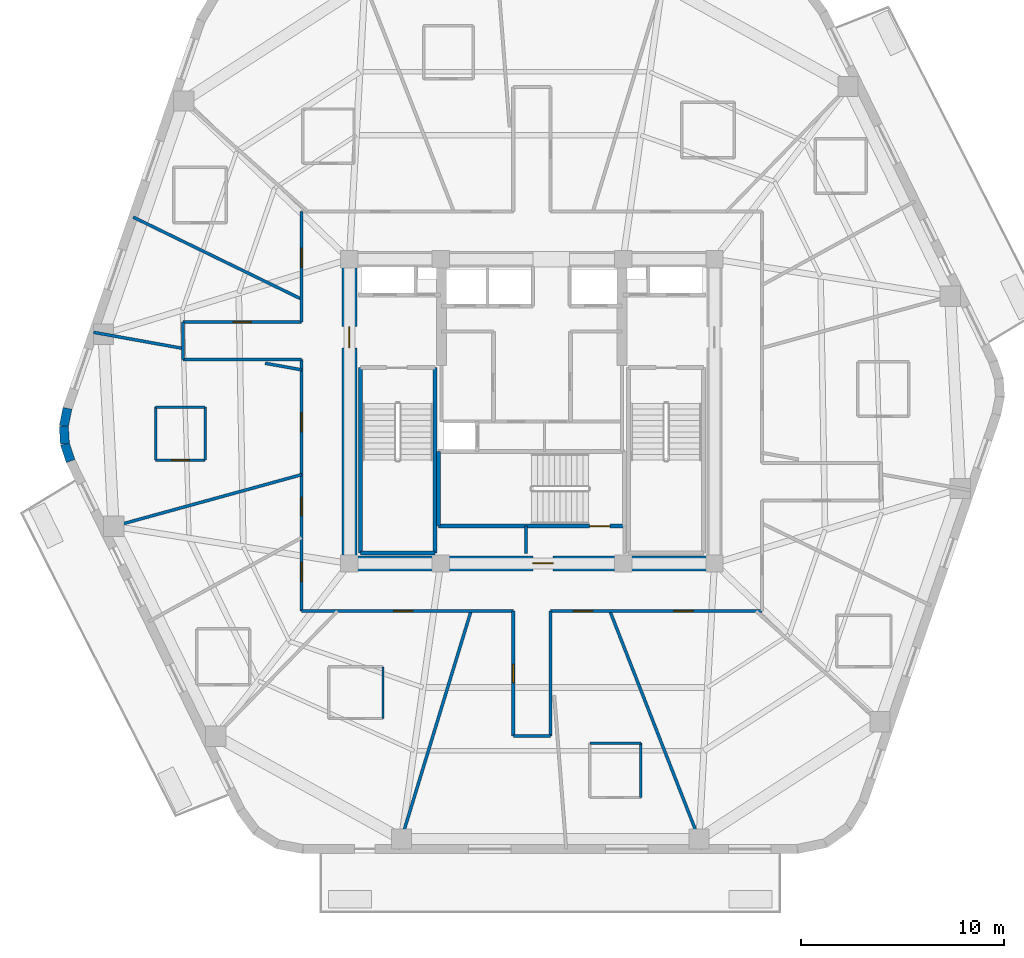
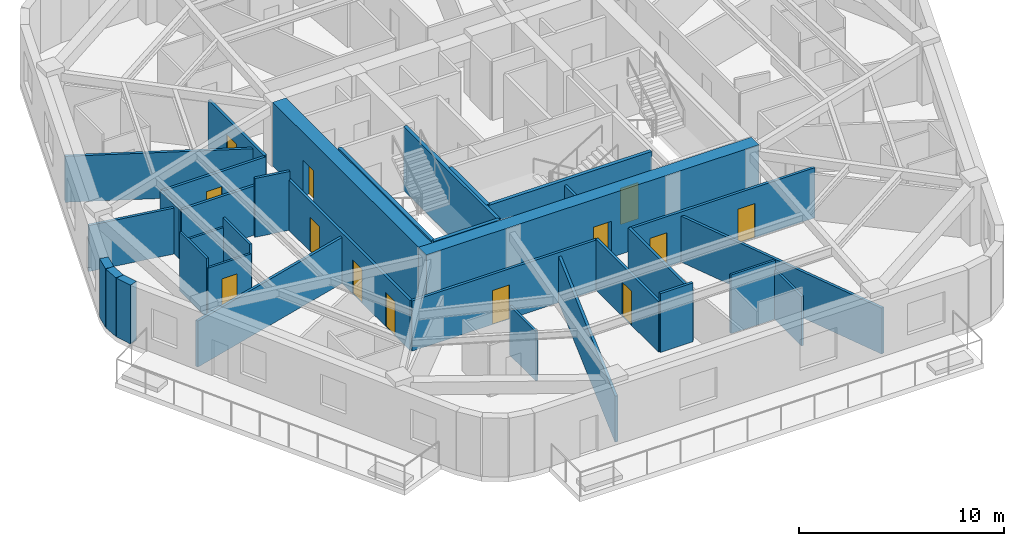
# One storey, part 3 of 10: 34 walls, 13 doors, 13 openings.
"""IFC4 building model written with IfcOpenShell, lengths in metres."""

from ifc_helpers import new_model, si_unit, direction, frame, frame_2d, origin, place, context, subcontext, project, spatial, rectangle, extrude, material, layer, layer_set, type_object, element, fill, save


model = new_model("IFC4")

# Units and contexts
model_context = context("Model", 3, precision=1e-05, world=origin(), true_north=direction((0.0, 1.0)))
body_context = subcontext(model_context, "Body", "Model", "MODEL_VIEW")
ifc_project = project(units=[si_unit("LENGTHUNIT", "METRE"), si_unit("AREAUNIT", "SQUARE_METRE"), si_unit("VOLUMEUNIT", "CUBIC_METRE"), si_unit("PLANEANGLEUNIT", "RADIAN"), si_unit("MASSUNIT", "GRAM", prefix="KILO")], contexts=[model_context])

# Site, building, storey
site_placement = place(None, origin())
site = spatial("IfcSite", under=ifc_project, at=site_placement, CompositionType="ELEMENT")
building_placement = place(site_placement, origin())
building = spatial("IfcBuilding", under=site, at=building_placement, Name="Kilnhurst Terrace Hotel", CompositionType="ELEMENT")
storey_placement = place(building_placement, frame((0.0, 0.0, 248.300048828125)))
storey = spatial("IfcBuildingStorey", under=building, at=storey_placement, Name="L62", CompositionType="ELEMENT", Elevation=248.300048828125)

# Walls
ifc_material_1 = material(Name="Precast concrete C40/50", Category="concrete")
ifc_layer_1 = layer(ifc_material_1, 0.449951171875, Name="Precast concrete C40/50")
ifc_layer_set_1 = layer_set([ifc_layer_1], Name="Precast concrete C40/50")
wall_type_1 = type_object("IfcWallType", Name="WL-BRK-450", PredefinedType="SOLIDWALL", material=ifc_layer_set_1)
wall_1_placement = place(storey_placement, frame((-22.8984375, 0.149658203125, 0.0), z_axis=(0.0, 0.0, 1.0), x_axis=(-0.199055826889, -0.979988151858, 0.0)))
element("IfcWall", 1, at=wall_1_placement, inside=storey, type_object=wall_type_1, Name="L62 Rounded Corner Brick Wall C6.1", PredefinedType="SOLIDWALL", context=body_context, shape_type="SweptSolid", body=[
    extrude(rectangle(XDim=0.89404296875, YDim=0.449951171875, at=frame_2d((0.447021484375, 0.0))), origin(), (0.0, 0.0, 1.0), 3.5),
])
wall_2_placement = place(storey_placement, frame((-23.076416015625, -0.7265625, 0.0), z_axis=(0.0, 0.0, 1.0), x_axis=(0.060805222108, -0.998149650586, 0.0)))
element("IfcWall", 2, at=wall_2_placement, inside=storey, type_object=wall_type_1, Name="L62 Rounded Corner Brick Wall C6.2", PredefinedType="SOLIDWALL", context=body_context, shape_type="SweptSolid", body=[
    extrude(rectangle(XDim=0.87939453125, YDim=0.449951171875, at=frame_2d((0.439697265625, 0.0))), origin(), (0.0, 0.0, 1.0), 3.5),
])
wall_3_placement = place(storey_placement, frame((-23.02294921875, -1.604248046875, 0.0), z_axis=(0.0, 0.0, 1.0), x_axis=(0.316801227695, -0.948491951537, 0.0)))
element("IfcWall", 3, at=wall_3_placement, inside=storey, type_object=wall_type_1, Name="L62 Rounded Corner Brick Wall C6.3", PredefinedType="SOLIDWALL", context=body_context, shape_type="SweptSolid", body=[
    extrude(rectangle(XDim=0.89404296875, YDim=0.449951171875, at=frame_2d((0.447021484375, 0.0))), origin(), (0.0, 0.0, 1.0), 3.5),
])

# Wall, openings, doors
ifc_material_2 = material(Name="Acoustic Double-Gypsum Corridor Partition Assembly")
ifc_layer_2 = layer(ifc_material_2, 0.14990234375, Name="Acoustic Double-Gypsum Corridor Partition Assembly")
ifc_layer_set_2 = layer_set([ifc_layer_2], Name="Acoustic Double-Gypsum Corridor Partition Assembly")
wall_type_2 = type_object("IfcWallType", Name="WL-COR-150", PredefinedType="PARTITIONING", material=ifc_layer_set_2)
wall_4_placement = place(storey_placement, frame((-11.35009765625, -9.85009765625, 0.0), z_axis=(0.0, 0.0, 1.0), x_axis=(0.0, 1.0, 0.0)))
wall_4 = element("IfcWall", 4, at=wall_4_placement, inside=storey, type_object=wall_type_2, Name="L62 Interior Wall WL-L62-COR-01", PredefinedType="PARTITIONING", context=body_context, shape_type="SweptSolid", body=[
    extrude(rectangle(XDim=12.400146484375, YDim=0.14990234375, at=frame_2d((6.2001953125, 0.0))), origin(), (0.0, 0.0, 1.0), 2.989990234375),
])
opening_1_placement = place(wall_4_placement, frame((8.8349609375, 0.0, 0.0)))
opening_1 = element("IfcOpeningElement", 5, at=opening_1_placement, cuts=wall_4, Name="Opening D-60B", PredefinedType="OPENING", context=body_context, shape_type="SweptSolid", body=[
    extrude(rectangle(XDim=0.949951171875, YDim=2.030029296875, at=frame_2d((0.47509765625, 1.01513671875))), frame((0.0, 0.0849609375, 0.0), z_axis=(0.0, -1.0, 0.0), x_axis=(1.0, 0.0, 0.0)), (0.0, 0.0, 1.0), 0.169921875),
])
opening_2_placement = place(wall_4_placement, frame((4.708984375, 0.0, 0.0)))
opening_2 = element("IfcOpeningElement", 6, at=opening_2_placement, cuts=wall_4, Name="Opening D-60C", PredefinedType="OPENING", context=body_context, shape_type="SweptSolid", body=[
    extrude(rectangle(XDim=0.89990234375, YDim=2.030029296875, at=frame_2d((0.449951171875, 1.01513671875))), frame((0.0, 0.0849609375, 0.0), z_axis=(0.0, -1.0, 0.0), x_axis=(1.0, 0.0, 0.0)), (0.0, 0.0, 1.0), 0.169921875),
])
opening_3_placement = place(wall_4_placement, frame((1.45703125, 0.0, 0.0)))
opening_3 = element("IfcOpeningElement", 7, at=opening_3_placement, cuts=wall_4, Name="Opening D-60B", PredefinedType="OPENING", context=body_context, shape_type="SweptSolid", body=[
    extrude(rectangle(XDim=0.949951171875, YDim=2.030029296875, at=frame_2d((0.47509765625, 1.01513671875))), frame((0.0, 0.0849609375, 0.0), z_axis=(0.0, -1.0, 0.0), x_axis=(1.0, 0.0, 0.0)), (0.0, 0.0, 1.0), 0.169921875),
])
ifc_material_3 = material(Name="Painted Solid-Core Service Fire Door")
door_type_1 = type_object("IfcDoorType", Name="DR-FD60-900", OperationType="NOTDEFINED", PredefinedType="DOOR", material=ifc_material_3)
door_1_placement = place(opening_2_placement, origin())
door_1 = element("IfcDoor", 8, at=door_1_placement, inside=storey, type_object=door_type_1, Name="L62 Private Meeting Salon Door 10", OperationType="SINGLE_SWING_RIGHT", OverallHeight=2.030029296875, OverallWidth=0.89990234375, PredefinedType="DOOR", context=body_context, shape_type="SweptSolid", body=[
    extrude(rectangle(XDim=0.89990234375, YDim=2.030029296875, at=frame_2d((0.449951171875, 1.01513671875))), frame((0.0, 0.02490234375, 0.0), z_axis=(0.0, -1.0, 0.0), x_axis=(1.0, 0.0, 0.0)), (0.0, 0.0, 1.0), 0.050048828125),
])
fill(opening_2, door_1)
ifc_material_4 = material(Name="Acoustic Walnut Veneer Solid-Core Fire Door")
door_type_2 = type_object("IfcDoorType", Name="DR-FD60-950", OperationType="NOTDEFINED", PredefinedType="DOOR", material=ifc_material_4)
door_2_placement = place(opening_1_placement, origin())
door_2 = element("IfcDoor", 9, at=door_2_placement, inside=storey, type_object=door_type_2, Name="L62 Executive Suite Entry Door 9", OperationType="SINGLE_SWING_LEFT", OverallHeight=2.030029296875, OverallWidth=0.949951171875, PredefinedType="DOOR", context=body_context, shape_type="SweptSolid", body=[
    extrude(rectangle(XDim=0.949951171875, YDim=2.030029296875, at=frame_2d((0.47509765625, 1.01513671875))), frame((0.0, 0.02490234375, 0.0), z_axis=(0.0, -1.0, 0.0), x_axis=(1.0, 0.0, 0.0)), (0.0, 0.0, 1.0), 0.050048828125),
])
fill(opening_1, door_2)
door_3_placement = place(opening_3_placement, origin())
door_3 = element("IfcDoor", 10, at=door_3_placement, inside=storey, type_object=door_type_2, Name="L62 Guest Room Entry Door 11", OperationType="SINGLE_SWING_LEFT", OverallHeight=2.030029296875, OverallWidth=0.949951171875, PredefinedType="DOOR", context=body_context, shape_type="SweptSolid", body=[
    extrude(rectangle(XDim=0.949951171875, YDim=2.030029296875, at=frame_2d((0.47509765625, 1.01513671875))), frame((0.0, 0.02490234375, 0.0), z_axis=(0.0, -1.0, 0.0), x_axis=(1.0, 0.0, 0.0)), (0.0, 0.0, 1.0), 0.050048828125),
])
fill(opening_3, door_3)

# Walls
wall_5_placement = place(storey_placement, frame((-11.35009765625, 2.550048828125, 0.0), z_axis=(0.0, 0.0, 1.0), x_axis=(-1.0, 0.0, 0.0)))
element("IfcWall", 11, at=wall_5_placement, inside=storey, type_object=wall_type_2, Name="L62 Interior Wall WL-L62-COR-02", PredefinedType="PARTITIONING", context=body_context, shape_type="SweptSolid", body=[
    extrude(rectangle(XDim=5.849853515625, YDim=0.14990234375, at=frame_2d((2.9248046875, 0.0))), origin(), (0.0, 0.0, 1.0), 2.9404296875),
])
wall_6_placement = place(storey_placement, frame((-17.199951171875, 2.550048828125, 0.0), z_axis=(0.0, 0.0, 1.0), x_axis=(0.0, 1.0, 0.0)))
element("IfcWall", 12, at=wall_6_placement, inside=storey, type_object=wall_type_2, Name="L62 Interior Wall WL-L62-COR-03", PredefinedType="PARTITIONING", context=body_context, shape_type="SweptSolid", body=[
    extrude(rectangle(XDim=1.849853515625, YDim=0.14990234375, at=frame_2d((0.9248046875, 0.0))), origin(), (0.0, 0.0, 1.0), 2.9404296875),
])

# Wall, opening, door
wall_7_placement = place(storey_placement, frame((-17.199951171875, 4.39990234375, 0.0), z_axis=(0.0, 0.0, 1.0), x_axis=(1.0, 0.0, 0.0)))
wall_7 = element("IfcWall", 13, at=wall_7_placement, inside=storey, type_object=wall_type_2, Name="L62 Interior Wall WL-L62-COR-04", PredefinedType="PARTITIONING", context=body_context, shape_type="SweptSolid", body=[
    extrude(rectangle(XDim=5.849853515625, YDim=0.14990234375, at=frame_2d((2.9248046875, 0.0))), origin(), (0.0, 0.0, 1.0), 2.9404296875),
])
opening_4_placement = place(wall_7_placement, frame((2.47509765625, 0.0, 0.0)))
opening_4 = element("IfcOpeningElement", 14, at=opening_4_placement, cuts=wall_7, Name="Opening D-60C", PredefinedType="OPENING", context=body_context, shape_type="SweptSolid", body=[
    extrude(rectangle(XDim=0.89990234375, YDim=2.030029296875, at=frame_2d((0.449951171875, 1.01513671875))), frame((0.0, 0.0849609375, 0.0), z_axis=(0.0, -1.0, 0.0), x_axis=(1.0, 0.0, 0.0)), (0.0, 0.0, 1.0), 0.169921875),
])
door_4_placement = place(opening_4_placement, origin())
door_4 = element("IfcDoor", 15, at=door_4_placement, inside=storey, type_object=door_type_1, Name="L62 Botanical Reading Lounge Door 8", OperationType="SINGLE_SWING_RIGHT", OverallHeight=2.030029296875, OverallWidth=0.89990234375, PredefinedType="DOOR", context=body_context, shape_type="SweptSolid", body=[
    extrude(rectangle(XDim=0.89990234375, YDim=2.030029296875, at=frame_2d((0.449951171875, 1.01513671875))), frame((0.0, 0.02490234375, 0.0), z_axis=(0.0, -1.0, 0.0), x_axis=(1.0, 0.0, 0.0)), (0.0, 0.0, 1.0), 0.050048828125),
])
fill(opening_4, door_4)

wall_8_placement = place(storey_placement, frame((-11.35009765625, 4.39990234375, 0.0), z_axis=(0.0, 0.0, 1.0), x_axis=(0.0, 1.0, 0.0)))
wall_8 = element("IfcWall", 16, at=wall_8_placement, inside=storey, type_object=wall_type_2, Name="L62 Interior Wall WL-L62-COR-05", PredefinedType="PARTITIONING", context=body_context, shape_type="SweptSolid", body=[
    extrude(rectangle(XDim=5.4501953125, YDim=0.14990234375, at=frame_2d((2.72509765625, 0.0))), origin(), (0.0, 0.0, 1.0), 2.989990234375),
])
opening_5_placement = place(wall_8_placement, frame((2.694091796875, 0.0, 0.0)))
opening_5 = element("IfcOpeningElement", 17, at=opening_5_placement, cuts=wall_8, Name="Opening D-60B", PredefinedType="OPENING", context=body_context, shape_type="SweptSolid", body=[
    extrude(rectangle(XDim=0.949951171875, YDim=2.030029296875, at=frame_2d((0.47509765625, 1.01513671875))), frame((0.0, 0.0849609375, 0.0), z_axis=(0.0, -1.0, 0.0), x_axis=(1.0, 0.0, 0.0)), (0.0, 0.0, 1.0), 0.169921875),
])
door_5_placement = place(opening_5_placement, origin())
door_5 = element("IfcDoor", 18, at=door_5_placement, inside=storey, type_object=door_type_2, Name="L62 Guest Room Entry Door 7", OperationType="SINGLE_SWING_LEFT", OverallHeight=2.030029296875, OverallWidth=0.949951171875, PredefinedType="DOOR", context=body_context, shape_type="SweptSolid", body=[
    extrude(rectangle(XDim=0.949951171875, YDim=2.030029296875, at=frame_2d((0.47509765625, 1.01513671875))), frame((0.0, 0.02490234375, 0.0), z_axis=(0.0, -1.0, 0.0), x_axis=(1.0, 0.0, 0.0)), (0.0, 0.0, 1.0), 0.050048828125),
])
fill(opening_5, door_5)

# Wall, openings, doors
wall_9_placement = place(storey_placement, frame((11.35009765625, -9.85009765625, 0.0), z_axis=(0.0, 0.0, 1.0), x_axis=(-1.0, 0.0, 0.0)))
wall_9 = element("IfcWall", 19, at=wall_9_placement, inside=storey, type_object=wall_type_2, Name="L62 Interior Wall WL-L62-COR-16", PredefinedType="PARTITIONING", context=body_context, shape_type="SweptSolid", body=[
    extrude(rectangle(XDim=10.43017578125, YDim=0.14990234375, at=frame_2d((5.215087890625, 0.0))), origin(), (0.0, 0.0, 1.0), 2.989990234375),
])
opening_6_placement = place(wall_9_placement, frame((8.362060546875, 0.0, 0.0)))
opening_6 = element("IfcOpeningElement", 20, at=opening_6_placement, cuts=wall_9, Name="Opening D-60B", PredefinedType="OPENING", context=body_context, shape_type="SweptSolid", body=[
    extrude(rectangle(XDim=0.949951171875, YDim=2.030029296875, at=frame_2d((0.47509765625, 1.01513671875))), frame((0.0, 0.0849609375, 0.0), z_axis=(0.0, -1.0, 0.0), x_axis=(1.0, 0.0, 0.0)), (0.0, 0.0, 1.0), 0.169921875),
])
opening_7_placement = place(wall_9_placement, frame((3.39599609375, 0.0, 0.0)))
opening_7 = element("IfcOpeningElement", 21, at=opening_7_placement, cuts=wall_9, Name="Opening D-60B", PredefinedType="OPENING", context=body_context, shape_type="SweptSolid", body=[
    extrude(rectangle(XDim=0.949951171875, YDim=2.030029296875, at=frame_2d((0.47509765625, 1.01513671875))), frame((0.0, 0.0849609375, 0.0), z_axis=(0.0, -1.0, 0.0), x_axis=(1.0, 0.0, 0.0)), (0.0, 0.0, 1.0), 0.169921875),
])
door_6_placement = place(opening_6_placement, origin())
door_6 = element("IfcDoor", 22, at=door_6_placement, inside=storey, type_object=door_type_2, Name="L62 Guest Room Entry Door 14", OperationType="SINGLE_SWING_RIGHT", OverallHeight=2.030029296875, OverallWidth=0.949951171875, PredefinedType="DOOR", context=body_context, shape_type="SweptSolid", body=[
    extrude(rectangle(XDim=0.949951171875, YDim=2.030029296875, at=frame_2d((0.47509765625, 1.01513671875))), frame((0.0, 0.02490234375, 0.0), z_axis=(0.0, -1.0, 0.0), x_axis=(1.0, 0.0, 0.0)), (0.0, 0.0, 1.0), 0.050048828125),
])
fill(opening_6, door_6)
door_7_placement = place(opening_7_placement, origin())
door_7 = element("IfcDoor", 23, at=door_7_placement, inside=storey, type_object=door_type_2, Name="L62 Private Dining Salon Door", OperationType="SINGLE_SWING_LEFT", OverallHeight=2.030029296875, OverallWidth=0.949951171875, PredefinedType="DOOR", context=body_context, shape_type="SweptSolid", body=[
    extrude(rectangle(XDim=0.949951171875, YDim=2.030029296875, at=frame_2d((0.47509765625, 1.01513671875))), frame((0.0, 0.02490234375, 0.0), z_axis=(0.0, -1.0, 0.0), x_axis=(1.0, 0.0, 0.0)), (0.0, 0.0, 1.0), 0.050048828125),
])
fill(opening_7, door_7)

# Walls
wall_10_placement = place(storey_placement, frame((0.919921875, -9.85009765625, 0.0), z_axis=(0.0, 0.0, 1.0), x_axis=(0.0, -1.0, 0.0)))
element("IfcWall", 24, at=wall_10_placement, inside=storey, type_object=wall_type_2, Name="L62 Interior Wall WL-L62-COR-17", PredefinedType="PARTITIONING", context=body_context, shape_type="SweptSolid", body=[
    extrude(rectangle(XDim=6.14990234375, YDim=0.14990234375, at=frame_2d((3.074951171875, 0.0))), origin(), (0.0, 0.0, 1.0), 3.0263671875),
])
wall_11_placement = place(storey_placement, frame((0.919921875, -16.0, 0.0), z_axis=(0.0, 0.0, 1.0), x_axis=(-1.0, 0.0, 0.0)))
element("IfcWall", 25, at=wall_11_placement, inside=storey, type_object=wall_type_2, Name="L62 Interior Wall WL-L62-COR-18", PredefinedType="PARTITIONING", context=body_context, shape_type="SweptSolid", body=[
    extrude(rectangle(XDim=1.83984375, YDim=0.14990234375, at=frame_2d((0.919921875, 0.0))), origin(), (0.0, 0.0, 1.0), 3.5),
])

# Wall, opening, door
wall_12_placement = place(storey_placement, frame((-0.919921875, -16.0, 0.0), z_axis=(0.0, 0.0, 1.0), x_axis=(0.0, 1.0, 0.0)))
wall_12 = element("IfcWall", 26, at=wall_12_placement, inside=storey, type_object=wall_type_2, Name="L62 Interior Wall WL-L62-COR-19", PredefinedType="PARTITIONING", context=body_context, shape_type="SweptSolid", body=[
    extrude(rectangle(XDim=6.14990234375, YDim=0.14990234375, at=frame_2d((3.074951171875, 0.0))), origin(), (0.0, 0.0, 1.0), 3.0263671875),
])
opening_8_placement = place(wall_12_placement, frame((2.625, 0.0, 0.0)))
opening_8 = element("IfcOpeningElement", 27, at=opening_8_placement, cuts=wall_12, Name="Opening D-60C", PredefinedType="OPENING", context=body_context, shape_type="SweptSolid", body=[
    extrude(rectangle(XDim=0.89990234375, YDim=2.030029296875, at=frame_2d((0.449951171875, 1.01513671875))), frame((0.0, 0.0849609375, 0.0), z_axis=(0.0, -1.0, 0.0), x_axis=(1.0, 0.0, 0.0)), (0.0, 0.0, 1.0), 0.169921875),
])
door_8_placement = place(opening_8_placement, origin())
door_8 = element("IfcDoor", 28, at=door_8_placement, inside=storey, type_object=door_type_1, Name="L62 Wellness Consultation Room Door 13", OperationType="SINGLE_SWING_LEFT", OverallHeight=2.030029296875, OverallWidth=0.89990234375, PredefinedType="DOOR", context=body_context, shape_type="SweptSolid", body=[
    extrude(rectangle(XDim=0.89990234375, YDim=2.030029296875, at=frame_2d((0.449951171875, 1.01513671875))), frame((0.0, 0.02490234375, 0.0), z_axis=(0.0, -1.0, 0.0), x_axis=(1.0, 0.0, 0.0)), (0.0, 0.0, 1.0), 0.050048828125),
])
fill(opening_8, door_8)

wall_13_placement = place(storey_placement, frame((-0.919921875, -9.85009765625, 0.0), z_axis=(0.0, 0.0, 1.0), x_axis=(-1.0, 0.0, 0.0)))
wall_13 = element("IfcWall", 29, at=wall_13_placement, inside=storey, type_object=wall_type_2, Name="L62 Interior Wall WL-L62-COR-20", PredefinedType="PARTITIONING", context=body_context, shape_type="SweptSolid", body=[
    extrude(rectangle(XDim=10.43017578125, YDim=0.14990234375, at=frame_2d((5.215087890625, 0.0))), origin(), (0.0, 0.0, 1.0), 2.989990234375),
])
opening_9_placement = place(wall_13_placement, frame((4.948974609375, 0.0, 0.0)))
opening_9 = element("IfcOpeningElement", 30, at=opening_9_placement, cuts=wall_13, Name="Opening D-60B", PredefinedType="OPENING", context=body_context, shape_type="SweptSolid", body=[
    extrude(rectangle(XDim=0.949951171875, YDim=2.030029296875, at=frame_2d((0.47509765625, 1.01513671875))), frame((0.0, 0.0849609375, 0.0), z_axis=(0.0, -1.0, 0.0), x_axis=(1.0, 0.0, 0.0)), (0.0, 0.0, 1.0), 0.169921875),
])
door_9_placement = place(opening_9_placement, origin())
door_9 = element("IfcDoor", 31, at=door_9_placement, inside=storey, type_object=door_type_2, Name="L62 Executive Suite Entry Door 12", OperationType="SINGLE_SWING_RIGHT", OverallHeight=2.030029296875, OverallWidth=0.949951171875, PredefinedType="DOOR", context=body_context, shape_type="SweptSolid", body=[
    extrude(rectangle(XDim=0.949951171875, YDim=2.030029296875, at=frame_2d((0.47509765625, 1.01513671875))), frame((0.0, 0.02490234375, 0.0), z_axis=(0.0, -1.0, 0.0), x_axis=(1.0, 0.0, 0.0)), (0.0, 0.0, 1.0), 0.050048828125),
])
fill(opening_9, door_9)

ifc_material_5 = material(Name="Concrete C60/75", Category="concrete")
ifc_layer_3 = layer(ifc_material_5, 0.75, Name="Concrete C60/75")
ifc_layer_set_3 = layer_set([ifc_layer_3], Name="Concrete C60/75")
wall_type_3 = type_object("IfcWallType", Name="WL-CORE-750", PredefinedType="SHEAR", material=ifc_layer_set_3)
wall_14_placement = place(storey_placement, frame((-9.375, -7.5, 0.0), z_axis=(0.0, 0.0, 1.0), x_axis=(1.0, 0.0, 0.0)))
wall_14 = element("IfcWall", 32, at=wall_14_placement, inside=storey, type_object=wall_type_3, Name="L62 Core South Shear Wall", PredefinedType="SHEAR", context=body_context, shape_type="SweptSolid", body=[
    extrude(rectangle(XDim=18.75, YDim=0.75, at=frame_2d((9.375, 0.0))), origin(), (0.0, 0.0, 1.0), 3.800048828125),
])
opening_10_placement = place(wall_14_placement, frame((9.425048828125, 0.0, 0.0)))
opening_10 = element("IfcOpeningElement", 33, at=opening_10_placement, cuts=wall_14, Name="Opening D-90B", PredefinedType="OPENING", context=body_context, shape_type="SweptSolid", body=[
    extrude(rectangle(XDim=1.0, YDim=2.14990234375, at=frame_2d((0.5, 1.074951171875))), frame((0.0, 0.385009765625, 0.0), z_axis=(0.0, -1.0, 0.0), x_axis=(1.0, 0.0, 0.0)), (0.0, 0.0, 1.0), 0.77001953125),
])
ifc_material_6 = material(Name="Painted Hollow Metal Steel ASTM A36 Fire Door", Category="steel")
door_type_3 = type_object("IfcDoorType", Name="DR-FD90-1000", OperationType="NOTDEFINED", PredefinedType="DOOR", material=ifc_material_6)
door_10_placement = place(opening_10_placement, origin())
door_10 = element("IfcDoor", 34, at=door_10_placement, inside=storey, type_object=door_type_3, Name="L62 Stair ST-3 Corridor Door", OperationType="SINGLE_SWING_RIGHT", OverallHeight=2.14990234375, OverallWidth=1.0, PredefinedType="DOOR", context=body_context, shape_type="SweptSolid", body=[
    extrude(rectangle(XDim=1.0, YDim=2.14990234375, at=frame_2d((0.5, 1.074951171875))), frame((0.0, 0.02490234375, 0.0), z_axis=(0.0, -1.0, 0.0), x_axis=(1.0, 0.0, 0.0)), (0.0, 0.0, 1.0), 0.050048828125),
])
fill(opening_10, door_10)

wall_15_placement = place(storey_placement, frame((-9.0, -7.125, 0.0), z_axis=(0.0, 0.0, 1.0), x_axis=(0.0, 1.0, 0.0)))
wall_15 = element("IfcWall", 35, at=wall_15_placement, inside=storey, type_object=wall_type_3, Name="L62 Core West Shear Wall", PredefinedType="SHEAR", context=body_context, shape_type="SweptSolid", body=[
    extrude(rectangle(XDim=14.25, YDim=0.75, at=frame_2d((7.125, 0.0))), origin(), (0.0, 0.0, 1.0), 3.800048828125),
])
opening_11_placement = place(wall_15_placement, frame((10.25, 0.0, 0.0)))
opening_11 = element("IfcOpeningElement", 36, at=opening_11_placement, cuts=wall_15, Name="Opening D-90A", PredefinedType="OPENING", context=body_context, shape_type="SweptSolid", body=[
    extrude(rectangle(XDim=1.050048828125, YDim=2.14990234375, at=frame_2d((0.52490234375, 1.074951171875))), frame((0.0, 0.385009765625, 0.0), z_axis=(0.0, -1.0, 0.0), x_axis=(1.0, 0.0, 0.0)), (0.0, 0.0, 1.0), 0.77001953125),
])
door_type_4 = type_object("IfcDoorType", Name="DR-FD90-1050", OperationType="NOTDEFINED", PredefinedType="DOOR", material=ifc_material_6)
door_11_placement = place(opening_11_placement, origin())
door_11 = element("IfcDoor", 37, at=door_11_placement, inside=storey, type_object=door_type_4, Name="L62 West Firefighting Lobby Door", OperationType="SINGLE_SWING_RIGHT", OverallHeight=2.14990234375, OverallWidth=1.050048828125, PredefinedType="DOOR", context=body_context, shape_type="SweptSolid", body=[
    extrude(rectangle(XDim=1.050048828125, YDim=2.14990234375, at=frame_2d((0.52490234375, 1.074951171875))), frame((0.0, 0.02490234375, 0.0), z_axis=(0.0, -1.0, 0.0), x_axis=(1.0, 0.0, 0.0)), (0.0, 0.0, 1.0), 0.050048828125),
])
fill(opening_11, door_11)

# Walls
ifc_material_7 = material(Name="STC-58 Acoustic Twin-Frame Guestroom Demising Partition")
ifc_layer_4 = layer(ifc_material_7, 0.14990234375, Name="STC-58 Acoustic Twin-Frame Guestroom Demising Partition")
ifc_layer_set_4 = layer_set([ifc_layer_4], Name="STC-58 Acoustic Twin-Frame Guestroom Demising Partition")
wall_type_4 = type_object("IfcWallType", Name="WL-DEM-150", PredefinedType="PARTITIONING", material=ifc_layer_set_4)
wall_16_placement = place(storey_placement, frame((-11.35009765625, 5.528076171875, 0.0), z_axis=(0.0, 0.0, 1.0), x_axis=(-0.899038669565, 0.437869239188, 0.0)))
element("IfcWall", 38, at=wall_16_placement, inside=storey, type_object=wall_type_4, Name="L62 Interior Wall WL-L62-DEM-MID05-08-1", PredefinedType="PARTITIONING", context=body_context, shape_type="SweptSolid", body=[
    extrude(rectangle(XDim=9.24169921875, YDim=0.14990234375, at=frame_2d((4.620849609375, 0.0))), origin(), (0.0, 0.0, 1.0), 2.739990234375),
])
wall_17_placement = place(storey_placement, frame((-11.35009765625, 2.046142578125, 0.0), z_axis=(0.0, 0.0, 1.0), x_axis=(-0.984127783205, 0.177461281195, 0.0)))
element("IfcWall", 39, at=wall_17_placement, inside=storey, type_object=wall_type_4, Name="L62 Interior Wall WL-L62-DEM-COL06-09-1", PredefinedType="PARTITIONING", context=body_context, shape_type="SweptSolid", body=[
    extrude(rectangle(XDim=1.82568359375, YDim=0.14990234375, at=frame_2d((0.912841796875, 0.0))), origin(), (0.0, 0.0, 1.0), 3.5),
])
wall_18_placement = place(storey_placement, frame((-17.199951171875, 3.1005859375, 0.0), z_axis=(0.0, 0.0, 1.0), x_axis=(-0.98413465883, 0.177423147559, 0.0)))
element("IfcWall", 40, at=wall_18_placement, inside=storey, type_object=wall_type_4, Name="L62 Interior Wall WL-L62-DEM-COL06-09-2", PredefinedType="PARTITIONING", context=body_context, shape_type="SweptSolid", body=[
    extrude(rectangle(XDim=4.481689453125, YDim=0.14990234375, at=frame_2d((2.24072265625, 0.0))), origin(), (0.0, 0.0, 1.0), 2.739990234375),
])
wall_19_placement = place(storey_placement, frame((-11.35009765625, -3.12060546875, 0.0), z_axis=(0.0, 0.0, 1.0), x_axis=(-0.964212793822, -0.265129568758, 0.0)))
element("IfcWall", 41, at=wall_19_placement, inside=storey, type_object=wall_type_4, Name="L62 Interior Wall WL-L62-DEM-COL07-10-1", PredefinedType="PARTITIONING", context=body_context, shape_type="SweptSolid", body=[
    extrude(rectangle(XDim=10.119873046875, YDim=0.14990234375, at=frame_2d((5.06005859375, 0.0))), origin(), (0.0, 0.0, 1.0), 2.739990234375),
])
wall_20_placement = place(storey_placement, frame((-3.00439453125, -9.85009765625, 0.0), z_axis=(0.0, 0.0, 1.0), x_axis=(-0.291775760688, -0.956486751333, 0.0)))
element("IfcWall", 42, at=wall_20_placement, inside=storey, type_object=wall_type_4, Name="L62 Interior Wall WL-L62-DEM-COL09-13-1", PredefinedType="PARTITIONING", context=body_context, shape_type="SweptSolid", body=[
    extrude(rectangle(XDim=12.25830078125, YDim=0.14990234375, at=frame_2d((6.129150390625, 0.0))), origin(), (0.0, 0.0, 1.0), 2.739990234375),
])
wall_21_placement = place(storey_placement, frame((3.848388671875, -9.85009765625, 0.0), z_axis=(0.0, 0.0, 1.0), x_axis=(0.363921778212, -0.931429513889, 0.0)))
element("IfcWall", 43, at=wall_21_placement, inside=storey, type_object=wall_type_4, Name="L62 Interior Wall WL-L62-DEM-COL10-15-1", PredefinedType="PARTITIONING", context=body_context, shape_type="SweptSolid", body=[
    extrude(rectangle(XDim=12.588134765625, YDim=0.14990234375, at=frame_2d((6.2939453125, 0.0))), origin(), (0.0, 0.0, 1.0), 2.739990234375),
])

# Wall, opening, door
ifc_material_8 = material(Name="120 mm Moisture-Resistant Tile-Backed Bathroom Partition")
ifc_layer_5 = layer(ifc_material_8, 0.1201171875, Name="120 mm Moisture-Resistant Tile-Backed Bathroom Partition")
ifc_layer_set_5 = layer_set([ifc_layer_5], Name="120 mm Moisture-Resistant Tile-Backed Bathroom Partition")
wall_type_5 = type_object("IfcWallType", Name="WL-PART-120", PredefinedType="PARTITIONING", material=ifc_layer_set_5)
wall_22_placement = place(storey_placement, frame((-18.5458984375, -2.406005859375, 0.0), z_axis=(0.0, 0.0, 1.0), x_axis=(1.0, 0.0, 0.0)))
wall_22 = element("IfcWall", 44, at=wall_22_placement, inside=storey, type_object=wall_type_5, Name="L62 Interior Wall WL-L62-BTH-09-1", PredefinedType="PARTITIONING", context=body_context, shape_type="SweptSolid", body=[
    extrude(rectangle(XDim=2.43994140625, YDim=0.1201171875, at=frame_2d((1.219970703125, 0.0))), origin(), (0.0, 0.0, 1.0), 2.9404296875),
])
opening_12_placement = place(wall_22_placement, frame((0.794921875, 0.0, 0.0)))
opening_12 = element("IfcOpeningElement", 45, at=opening_12_placement, cuts=wall_22, Name="Opening D-08A", PredefinedType="OPENING", context=body_context, shape_type="SweptSolid", body=[
    extrude(rectangle(XDim=0.85009765625, YDim=2.030029296875, at=frame_2d((0.425048828125, 1.01513671875))), frame((0.0, 0.070068359375, 0.0), z_axis=(0.0, -1.0, 0.0), x_axis=(1.0, 0.0, 0.0)), (0.0, 0.0, 1.0), 0.14013671875),
])
ifc_material_9 = material(Name="Moisture-Resistant Lacquered En-suite Bathroom Door")
door_type_5 = type_object("IfcDoorType", Name="DR-INT-850", OperationType="NOTDEFINED", PredefinedType="DOOR", material=ifc_material_9)
door_12_placement = place(opening_12_placement, origin())
door_12 = element("IfcDoor", 46, at=door_12_placement, inside=storey, type_object=door_type_5, Name="L62 En-suite Bathroom Door 9", OperationType="SINGLE_SWING_RIGHT", OverallHeight=2.030029296875, OverallWidth=0.85009765625, PredefinedType="DOOR", context=body_context, shape_type="SweptSolid", body=[
    extrude(rectangle(XDim=0.85009765625, YDim=2.030029296875, at=frame_2d((0.425048828125, 1.01513671875))), frame((0.0, 0.02490234375, 0.0), z_axis=(0.0, -1.0, 0.0), x_axis=(1.0, 0.0, 0.0)), (0.0, 0.0, 1.0), 0.050048828125),
])
fill(opening_12, door_12)

# Walls
wall_23_placement = place(storey_placement, frame((-16.10595703125, -2.406005859375, 0.0), z_axis=(0.0, 0.0, 1.0), x_axis=(0.0, 1.0, 0.0)))
element("IfcWall", 47, at=wall_23_placement, inside=storey, type_object=wall_type_5, Name="L62 Interior Wall WL-L62-BTH-09-2", PredefinedType="PARTITIONING", context=body_context, shape_type="SweptSolid", body=[
    extrude(rectangle(XDim=2.610107421875, YDim=0.1201171875, at=frame_2d((1.30517578125, 0.0))), origin(), (0.0, 0.0, 1.0), 3.5),
])
wall_24_placement = place(storey_placement, frame((-16.10595703125, 0.2041015625, 0.0), z_axis=(0.0, 0.0, 1.0), x_axis=(-1.0, 0.0, 0.0)))
element("IfcWall", 48, at=wall_24_placement, inside=storey, type_object=wall_type_5, Name="L62 Interior Wall WL-L62-BTH-09-3", PredefinedType="PARTITIONING", context=body_context, shape_type="SweptSolid", body=[
    extrude(rectangle(XDim=2.43994140625, YDim=0.1201171875, at=frame_2d((1.219970703125, 0.0))), origin(), (0.0, 0.0, 1.0), 2.9404296875),
])
wall_25_placement = place(storey_placement, frame((-18.5458984375, 0.2041015625, 0.0), z_axis=(0.0, 0.0, 1.0), x_axis=(0.0, -1.0, 0.0)))
element("IfcWall", 49, at=wall_25_placement, inside=storey, type_object=wall_type_5, Name="L62 Interior Wall WL-L62-BTH-09-4", PredefinedType="PARTITIONING", context=body_context, shape_type="SweptSolid", body=[
    extrude(rectangle(XDim=2.610107421875, YDim=0.1201171875, at=frame_2d((1.30517578125, 0.0))), origin(), (0.0, 0.0, 1.0), 3.5),
])
wall_26_placement = place(storey_placement, frame((-7.343017578125, -15.14208984375, 0.0), z_axis=(0.0, 0.0, 1.0), x_axis=(0.0, 1.0, 0.0)))
element("IfcWall", 50, at=wall_26_placement, inside=storey, type_object=wall_type_5, Name="L62 Interior Wall WL-L62-BTH-12-2", PredefinedType="PARTITIONING", context=body_context, shape_type="SweptSolid", body=[
    extrude(rectangle(XDim=2.5400390625, YDim=0.1201171875, at=frame_2d((1.27001953125, 0.0))), origin(), (0.0, 0.0, 1.0), 2.9404296875),
])
wall_27_placement = place(storey_placement, frame((5.3740234375, -19.037109375, 0.0), z_axis=(0.0, 0.0, 1.0), x_axis=(0.0, 1.0, 0.0)))
element("IfcWall", 51, at=wall_27_placement, inside=storey, type_object=wall_type_5, Name="L62 Interior Wall WL-L62-BTH-14-2", PredefinedType="PARTITIONING", context=body_context, shape_type="SweptSolid", body=[
    extrude(rectangle(XDim=2.68017578125, YDim=0.1201171875, at=frame_2d((1.340087890625, 0.0))), origin(), (0.0, 0.0, 1.0), 2.9404296875),
])
wall_28_placement = place(storey_placement, frame((5.3740234375, -16.35693359375, 0.0), z_axis=(0.0, 0.0, 1.0), x_axis=(-1.0, 0.0, 0.0)))
element("IfcWall", 52, at=wall_28_placement, inside=storey, type_object=wall_type_5, Name="L62 Interior Wall WL-L62-BTH-14-3", PredefinedType="PARTITIONING", context=body_context, shape_type="SweptSolid", body=[
    extrude(rectangle(XDim=2.52001953125, YDim=0.1201171875, at=frame_2d((1.260009765625, 0.0))), origin(), (0.0, 0.0, 1.0), 3.5),
])
ifc_material_10 = material(Name="Fire-Rated Gypsum Shaftliner Assembly")
ifc_layer_6 = layer(ifc_material_10, 0.14990234375, Name="Fire-Rated Gypsum Shaftliner Assembly")
ifc_layer_set_6 = layer_set([ifc_layer_6], Name="Fire-Rated Gypsum Shaftliner Assembly")
wall_type_6 = type_object("IfcWallType", Name="WL-SHAFT-150", PredefinedType="PARTITIONING", material=ifc_layer_set_6)
wall_29_placement = place(storey_placement, frame((-0.300048828125, -7.02001953125, 0.0), z_axis=(0.0, 0.0, 1.0), x_axis=(0.0, 1.0, 0.0)))
element("IfcWall", 53, at=wall_29_placement, inside=storey, type_object=wall_type_6, Name="L62 Interior Wall WL-L62-ST3-PSGW", PredefinedType="PARTITIONING", context=body_context, shape_type="SweptSolid", body=[
    extrude(rectangle(XDim=1.362060546875, YDim=0.14990234375, at=frame_2d((0.68115234375, 0.0))), origin(), (0.0, 0.0, 1.0), 3.5),
])
ifc_material_11 = material(Name="Concrete C50/60", Category="concrete")
ifc_layer_7 = layer(ifc_material_11, 0.199951171875, Name="Concrete C50/60")
ifc_layer_set_7 = layer_set([ifc_layer_7], Name="Concrete C50/60")
wall_type_7 = type_object("IfcWallType", Name="WL-STAIR-RC-200", PredefinedType="SHEAR", material=ifc_layer_set_7)
for number, where, z_axis, x_axis, name in (
    (54, (-8.4580078125, -6.985107421875, 0.0), (0.0, 0.0, 1.0), (0.0, 1.0, 0.0), "L62 Structural Stair Shaft Wall WL-L62-ST1-W"),
    (55, (-4.77197265625, -6.985107421875, 0.0), (0.0, 0.0, 1.0), (0.0, 1.0, 0.0), "L62 Structural Stair Shaft Wall WL-L62-ST1-E"),
):
    element("IfcWall", number, at=place(storey_placement, frame(where, z_axis=z_axis, x_axis=x_axis)), inside=storey, type_object=wall_type_7, Name=name, PredefinedType="SHEAR", context=body_context, shape_type="SweptSolid", body=[
        extrude(rectangle(XDim=9.14306640625, YDim=0.199951171875, at=frame_2d((4.571533203125, 0.0))), origin(), (0.0, 0.0, 1.0), 3.800048828125),
    ])
for number, where, z_axis, x_axis, name in (
    (56, (-8.4580078125, -6.985107421875, 0.0), (0.0, 0.0, 1.0), (1.0, 0.0, 0.0), "L62 Structural Stair Shaft Wall WL-L62-ST1-S"),
    (57, (-4.60791015625, -5.657958984375, 0.0), (0.0, 0.0, 1.0), (0.0, 1.0, 0.0), "L62 Structural Stair Shaft Wall WL-L62-ST3-W"),
):
    element("IfcWall", number, at=place(storey_placement, frame(where, z_axis=z_axis, x_axis=x_axis)), inside=storey, type_object=wall_type_7, Name=name, PredefinedType="SHEAR", context=body_context, shape_type="SweptSolid", body=[
        extrude(rectangle(XDim=3.68603515625, YDim=0.199951171875, at=frame_2d((1.843017578125, 0.0))), origin(), (0.0, 0.0, 1.0), 3.800048828125),
    ])

# Wall, opening, door
wall_30_placement = place(storey_placement, frame((-4.60791015625, -5.657958984375, 0.0), z_axis=(0.0, 0.0, 1.0), x_axis=(1.0, 0.0, 0.0)))
wall_30 = element("IfcWall", 58, at=wall_30_placement, inside=storey, type_object=wall_type_7, Name="L62 Structural Stair Shaft Wall WL-L62-ST3-S", PredefinedType="SHEAR", context=body_context, shape_type="SweptSolid", body=[
    extrude(rectangle(XDim=9.166015625, YDim=0.199951171875, at=frame_2d((4.5830078125, 0.0))), origin(), (0.0, 0.0, 1.0), 3.800048828125),
])
opening_13_placement = place(wall_30_placement, frame((7.449951171875, 0.0, 0.0)))
opening_13 = element("IfcOpeningElement", 59, at=opening_13_placement, cuts=wall_30, Name="Opening D-90B", PredefinedType="OPENING", context=body_context, shape_type="SweptSolid", body=[
    extrude(rectangle(XDim=1.0, YDim=2.14990234375, at=frame_2d((0.5, 1.074951171875))), frame((0.0, 0.10986328125, 0.0), z_axis=(0.0, -1.0, 0.0), x_axis=(1.0, 0.0, 0.0)), (0.0, 0.0, 1.0), 0.219970703125),
])
door_13_placement = place(opening_13_placement, origin())
door_13 = element("IfcDoor", 60, at=door_13_placement, inside=storey, type_object=door_type_3, Name="L62 Stair ST-3 Shaft Door", OperationType="SINGLE_SWING_LEFT", OverallHeight=2.14990234375, OverallWidth=1.0, PredefinedType="DOOR", context=body_context, shape_type="SweptSolid", body=[
    extrude(rectangle(XDim=1.0, YDim=2.14990234375, at=frame_2d((0.5, 1.074951171875))), frame((0.0, 0.02490234375, 0.0), z_axis=(0.0, -1.0, 0.0), x_axis=(1.0, 0.0, 0.0)), (0.0, 0.0, 1.0), 0.050048828125),
])
fill(opening_13, door_13)

save(model, "model.ifc")
